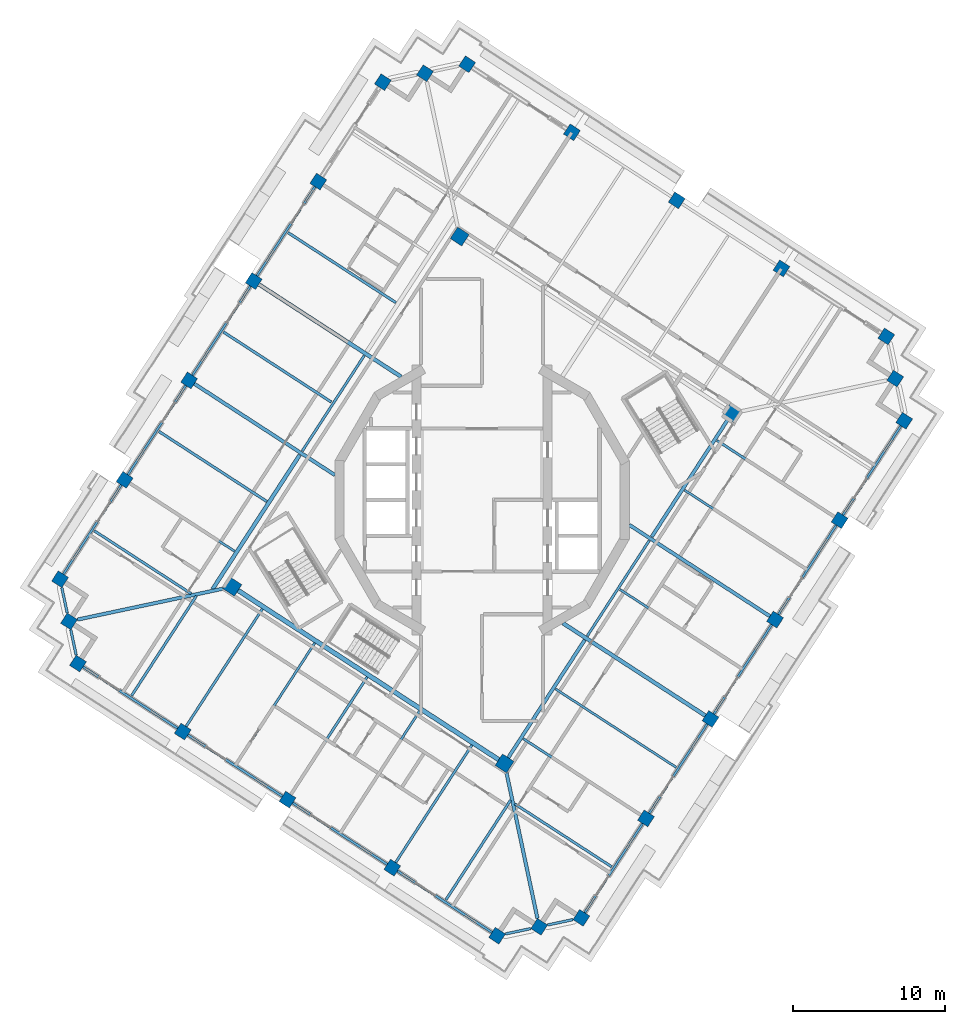
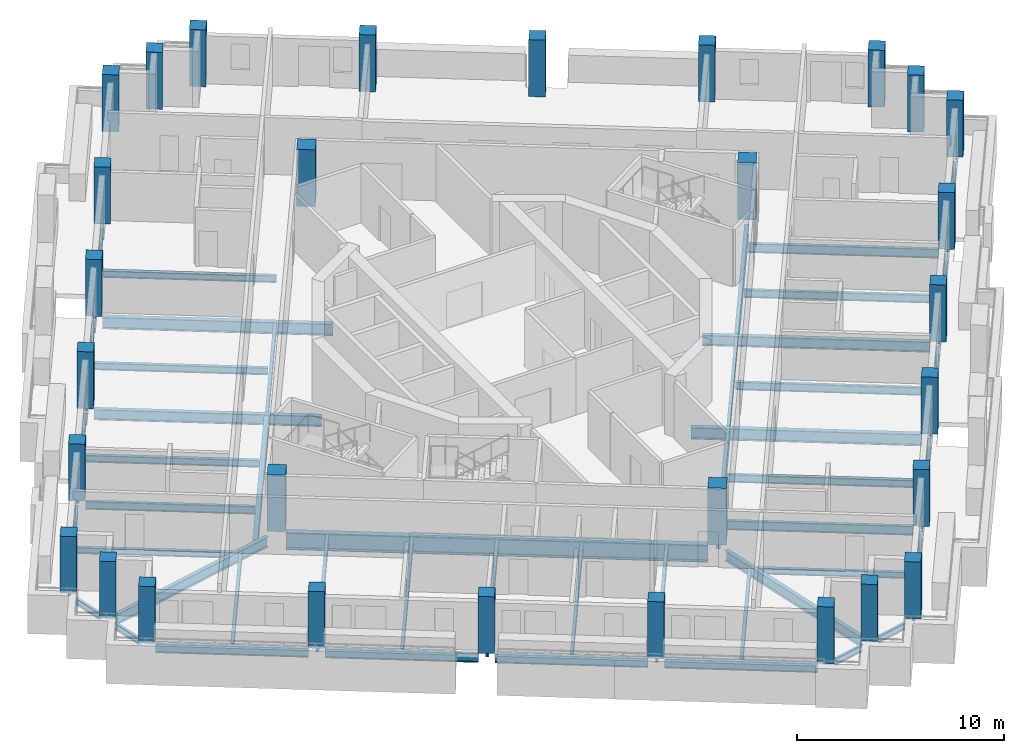
# One storey, part 1 of 15: 47 beams, 30 columns.
"""IFC4 building model written with IfcOpenShell, lengths in metres."""

from ifc_helpers import new_model, si_unit, direction, frame, origin, origin_2d, place, context, subcontext, project, spatial, rectangle, i_section, extrude, material, material_profile, profile_set, type_object, element, save


model = new_model("IFC4")

# Units and contexts
model_context = context("Model", 3, precision=1e-05, world=origin(), true_north=direction((0.0, 1.0)))
body_context = subcontext(model_context, "Body", "Model", "MODEL_VIEW")
ifc_project = project(units=[si_unit("LENGTHUNIT", "METRE"), si_unit("AREAUNIT", "SQUARE_METRE"), si_unit("VOLUMEUNIT", "CUBIC_METRE"), si_unit("PLANEANGLEUNIT", "RADIAN"), si_unit("MASSUNIT", "GRAM", prefix="KILO")], contexts=[model_context])

# Site, building, storey
site_placement = place(None, origin())
site = spatial("IfcSite", under=ifc_project, at=site_placement, CompositionType="ELEMENT")
building_placement = place(site_placement, origin())
building = spatial("IfcBuilding", under=site, at=building_placement, Name="Cantera Rosa Tower", CompositionType="ELEMENT")
storey_placement = place(building_placement, frame((0.0, 0.0, 272.10009765625)))
storey = spatial("IfcBuildingStorey", under=building, at=storey_placement, Name="L61", CompositionType="ELEMENT", Elevation=272.10009765625)

# Columns
ifc_material_1 = material(Name="Concrete C50/60", Category="concrete")
ifc_material_profile_1 = material_profile(ifc_material_1, rectangle(XDim=0.800048828125, YDim=0.800048828125, at=origin_2d()), Name="RC COLUMN RC800X800 C50/60")
ifc_profile_set_1 = profile_set([ifc_material_profile_1], Name="Concrete C50/60")
column_type_1 = type_object("IfcColumnType", Name="RC COLUMN RC800X800 C50/60", PredefinedType="COLUMN", material=ifc_profile_set_1)
for number, where, z_axis, x_axis, name in (
    (1, (26.52587890625, 10.73486328125, 0.0), (0.0, 0.0, 1.0), (0.544639035015, 0.838670567945, 0.0), "C-Z5-01 L61"),
    (2, (19.64892578125, 15.20068359375, 0.0), (0.0, 0.0, 1.0), (0.544639035015, 0.838670567945, 0.0), "C-Z5-02 L61"),
    (3, (12.771728515625, 19.666748046875, 0.0), (0.0, 0.0, 1.0), (0.544639035015, 0.838670567945, 0.0), "C-Z5-03 L61"),
    (4, (5.894775390625, 24.1328125, 0.0), (0.0, 0.0, 1.0), (0.544639035015, 0.838670567945, 0.0), "C-Z5-04 L61"),
    (5, (-0.982421875, 28.598876953125, 0.0), (0.0, 0.0, 1.0), (0.544639035015, 0.838670567945, 0.0), "C-Z5-05 L61"),
    (6, (-3.7490234375, 28.0107421875, 0.0), (0.0, 0.0, 1.0), (0.544639035015, 0.838670567945, 0.0), "C-Z5-06 L61"),
    (7, (-6.515625, 27.4228515625, 0.0), (0.0, 0.0, 1.0), (0.544639035015, 0.838670567945, 0.0), "C-Z5-07 L61"),
    (8, (-10.7529296875, 20.89794921875, 0.0), (0.0, 0.0, 1.0), (0.544639035015, 0.838670567945, 0.0), "C-Z5-08 L61"),
    (9, (-14.990234375, 14.373046875, 0.0), (0.0, 0.0, 1.0), (0.544639035015, 0.838670567945, 0.0), "C-Z5-09 L61"),
    (10, (-19.2275390625, 7.84814453125, 0.0), (0.0, 0.0, 1.0), (0.544639035015, 0.838670567945, 0.0), "C-Z5-10 L61"),
    (11, (-23.46484375, 1.3232421875, 0.0), (0.0, 0.0, 1.0), (0.544639035015, 0.838670567945, 0.0), "C-Z5-11 L61"),
    (12, (-27.7021484375, -5.201416015625, 0.0), (0.0, 0.0, 1.0), (0.544639035015, 0.838670567945, 0.0), "C-Z5-12 L61"),
    (13, (-27.114013671875, -7.968017578125, 0.0), (0.0, 0.0, 1.0), (0.544639035015, 0.838670567945, 0.0), "C-Z5-13 L61"),
    (14, (-26.52587890625, -10.73486328125, 0.0), (0.0, 0.0, 1.0), (0.544639035015, 0.838670567945, 0.0), "C-Z5-14 L61"),
    (15, (-19.64892578125, -15.20068359375, 0.0), (0.0, 0.0, 1.0), (0.544639035015, 0.838670567945, 0.0), "C-Z5-15 L61"),
    (16, (-12.771728515625, -19.666748046875, 0.0), (0.0, 0.0, 1.0), (0.544639035015, 0.838670567945, 0.0), "C-Z5-16 L61"),
    (17, (-5.894775390625, -24.1328125, 0.0), (0.0, 0.0, 1.0), (0.544639035015, 0.838670567945, 0.0), "C-Z5-17 L61"),
    (18, (0.982421875, -28.598876953125, 0.0), (0.0, 0.0, 1.0), (0.544639035015, 0.838670567945, 0.0), "C-Z5-18 L61"),
    (19, (3.7490234375, -28.0107421875, 0.0), (0.0, 0.0, 1.0), (0.544639035015, 0.838670567945, 0.0), "C-Z5-19 L61"),
    (20, (6.515625, -27.4228515625, 0.0), (0.0, 0.0, 1.0), (0.544639035015, 0.838670567945, 0.0), "C-Z5-20 L61"),
    (21, (10.7529296875, -20.89794921875, 0.0), (0.0, 0.0, 1.0), (0.544639035015, 0.838670567945, 0.0), "C-Z5-21 L61"),
    (22, (14.990234375, -14.373046875, 0.0), (0.0, 0.0, 1.0), (0.544639035015, 0.838670567945, 0.0), "C-Z5-22 L61"),
    (23, (19.2275390625, -7.84814453125, 0.0), (0.0, 0.0, 1.0), (0.544639035015, 0.838670567945, 0.0), "C-Z5-23 L61"),
    (24, (23.46484375, -1.3232421875, 0.0), (0.0, 0.0, 1.0), (0.544639035015, 0.838670567945, 0.0), "C-Z5-24 L61"),
    (25, (27.7021484375, 5.201416015625, 0.0), (0.0, 0.0, 1.0), (0.544639035015, 0.838670567945, 0.0), "C-Z5-25 L61"),
    (26, (27.114013671875, 7.968017578125, 0.0), (0.0, 0.0, 1.0), (0.544639035015, 0.838670567945, 0.0), "C-Z5-26 L61"),
):
    element("IfcColumn", number, at=place(storey_placement, frame(where, z_axis=z_axis, x_axis=x_axis)), inside=storey, type_object=column_type_1, Name=name, PredefinedType="COLUMN", context=body_context, shape_type="SweptSolid", body=[
        extrude(rectangle(XDim=0.800048828125, YDim=0.800048828125, at=origin_2d()), origin(), (0.0, 0.0, 1.0), 3.349853515625),
    ])
ifc_material_2 = material(Name="Concrete C50/60", Category="concrete")
ifc_material_profile_2 = material_profile(ifc_material_2, rectangle(XDim=0.89990234375, YDim=0.89990234375, at=origin_2d()), Name="RC RING COLUMN RC900X900 C50/60")
ifc_profile_set_2 = profile_set([ifc_material_profile_2], Name="Concrete C50/60")
column_type_2 = type_object("IfcColumnType", Name="RC RING COLUMN RC900X900 C50/60", PredefinedType="COLUMN", material=ifc_profile_set_2)
for number, where, z_axis, x_axis, name in (
    (27, (-1.47021484375, 17.290283203125, 0.0), (0.0, 0.0, 1.0), (0.544639035015, 0.838670567945, 0.0), "CI-Z5-1 L61"),
    (28, (-16.393310546875, -5.689453125, 0.0), (0.0, 0.0, 1.0), (0.544639035015, 0.838670567945, 0.0), "CI-Z5-2 L61"),
    (29, (1.47021484375, -17.290283203125, 0.0), (0.0, 0.0, 1.0), (0.544639035015, 0.838670567945, 0.0), "CI-Z5-3 L61"),
    (30, (16.393310546875, 5.689453125, 0.0), (0.0, 0.0, 1.0), (0.544639035015, 0.838670567945, 0.0), "CI-Z5-4 L61"),
):
    element("IfcColumn", number, at=place(storey_placement, frame(where, z_axis=z_axis, x_axis=x_axis)), inside=storey, type_object=column_type_2, Name=name, PredefinedType="COLUMN", context=body_context, shape_type="SweptSolid", body=[
        extrude(rectangle(XDim=0.89990234375, YDim=0.89990234375, at=origin_2d()), origin(), (0.0, 0.0, 1.0), 3.349853515625),
    ])

# Beams
ifc_material_3 = material(Name="Steel ASTM A992 (Fy 345 MPa)", Category="steel")
ifc_material_profile_3 = material_profile(ifc_material_3, i_section(OverallWidth=0.302001953125, OverallDepth=1.010009765625, WebThickness=0.02099609375, FlangeThickness=0.0400390625, FilletRadius=0.030029296875, at=origin_2d()), Name="W1000X350")
ifc_profile_set_3 = profile_set([ifc_material_profile_3], Name="Steel ASTM A992 (Fy 345 MPa)")
beam_type_1 = type_object("IfcBeamType", Name="STEEL BEAM W1000X350", PredefinedType="BEAM", material=ifc_profile_set_3)
beam_1_placement = place(storey_placement, frame((1.0927734375, -17.045166015625, -0.755126953125), z_axis=(-0.838671580977, 0.54463747508, 0.0), x_axis=(-0.54463747508, -0.838671580977, 0.0)))
element("IfcBeam", 31, at=beam_1_placement, inside=storey, type_object=beam_type_1, Name="RB-Z5-09 L61", PredefinedType="BEAM", context=body_context, shape_type="SweptSolid", body=[
    extrude(i_section(OverallWidth=0.302001953125, OverallDepth=1.010009765625, WebThickness=0.02099609375, FlangeThickness=0.0400390625, FilletRadius=0.030029296875, at=origin_2d()), origin(), (0.0, 0.0, 1.0), 20.39990234375),
])
ifc_material_4 = material(Name="Steel ASTM A992 (Fy 345 MPa)", Category="steel")
ifc_material_profile_4 = material_profile(ifc_material_4, i_section(OverallWidth=0.154052734375, OverallDepth=0.4599609375, WebThickness=0.009033203125, FlangeThickness=0.015380859375, FilletRadius=0.01025390625, at=origin_2d()), Name="W460X68")
ifc_profile_set_4 = profile_set([ifc_material_profile_4], Name="Steel ASTM A992 (Fy 345 MPa)")
beam_type_2 = type_object("IfcBeamType", Name="STEEL BEAM W460X68", PredefinedType="BEAM", material=ifc_profile_set_4)
beam_2_placement = place(storey_placement, frame((-23.12939453125, 1.10546875, -0.47998046875), z_axis=(0.838672777751, -0.544635632198, 0.0), x_axis=(0.544635632198, 0.838672777751, 0.0)))
element("IfcBeam", 32, at=beam_2_placement, inside=storey, type_object=beam_type_2, Name="G-Z5-07 L61", PredefinedType="BEAM", context=body_context, shape_type="SweptSolid", body=[
    extrude(i_section(OverallWidth=0.154052734375, OverallDepth=0.4599609375, WebThickness=0.009033203125, FlangeThickness=0.015380859375, FilletRadius=0.01025390625, at=origin_2d()), origin(), (0.0, 0.0, 1.0), 8.2001953125),
])
ifc_material_5 = material(Name="Steel ASTM A992 (Fy 345 MPa)", Category="steel")
ifc_material_profile_5 = material_profile(ifc_material_5, i_section(OverallWidth=0.166015625, OverallDepth=0.528076171875, WebThickness=0.009765625, FlangeThickness=0.013671875, FilletRadius=0.0126953125, at=origin_2d()), Name="W530X74")
ifc_profile_set_5 = profile_set([ifc_material_profile_5], Name="Steel ASTM A992 (Fy 345 MPa)")
beam_type_3 = type_object("IfcBeamType", Name="STEEL BEAM W530X74", PredefinedType="BEAM", material=ifc_profile_set_5)
for number, where, z_axis, x_axis, name in (
    (33, (10.41748046875, -20.68017578125, -0.51416015625), (-0.838669083999, 0.544641320086, 0.0), (-0.544641320086, -0.838669083999, 0.0), "G-Z5-08 L61"),
    (34, (23.12939453125, -1.10546875, -0.51416015625), (-0.838669083999, 0.544641320086, 0.0), (-0.544641320086, -0.838669083999, 0.0), "G-Z5-11 L61"),
):
    element("IfcBeam", number, at=place(storey_placement, frame(where, z_axis=z_axis, x_axis=x_axis)), inside=storey, type_object=beam_type_3, Name=name, PredefinedType="BEAM", context=body_context, shape_type="SweptSolid", body=[
        extrude(i_section(OverallWidth=0.166015625, OverallDepth=0.528076171875, WebThickness=0.009765625, FlangeThickness=0.013671875, FilletRadius=0.0126953125, at=origin_2d()), origin(), (0.0, 0.0, 1.0), 9.2001953125),
    ])
beam_3_placement = place(storey_placement, frame((-19.430908203125, -14.865234375, -0.51416015625), z_axis=(0.544634776066, 0.838673333724, 0.0), x_axis=(-0.838673333724, 0.544634776066, 0.0)))
element("IfcBeam", 35, at=beam_3_placement, inside=storey, type_object=beam_type_3, Name="G-Z5-12 L61", PredefinedType="BEAM", context=body_context, shape_type="SweptSolid", body=[
    extrude(i_section(OverallWidth=0.166015625, OverallDepth=0.528076171875, WebThickness=0.009765625, FlangeThickness=0.013671875, FilletRadius=0.0126953125, at=origin_2d()), origin(), (0.0, 0.0, 1.0), 9.19970703125),
])
beam_4_placement = place(storey_placement, frame((-12.553955078125, -19.331298828125, -0.51416015625), z_axis=(0.544641320086, 0.838669083999, 0.0), x_axis=(-0.838669083999, 0.544641320086, 0.0)))
element("IfcBeam", 36, at=beam_4_placement, inside=storey, type_object=beam_type_3, Name="G-Z5-13 L61", PredefinedType="BEAM", context=body_context, shape_type="SweptSolid", body=[
    extrude(i_section(OverallWidth=0.166015625, OverallDepth=0.528076171875, WebThickness=0.009765625, FlangeThickness=0.013671875, FilletRadius=0.0126953125, at=origin_2d()), origin(), (0.0, 0.0, 1.0), 9.2001953125),
])
beam_5_placement = place(storey_placement, frame((-5.6767578125, -23.79736328125, -0.51416015625), z_axis=(0.544622654601, 0.838681205283, 0.0), x_axis=(-0.838681205283, 0.544622654601, 0.0)))
element("IfcBeam", 37, at=beam_5_placement, inside=storey, type_object=beam_type_3, Name="G-Z5-14 L61", PredefinedType="BEAM", context=body_context, shape_type="SweptSolid", body=[
    extrude(i_section(OverallWidth=0.166015625, OverallDepth=0.528076171875, WebThickness=0.009765625, FlangeThickness=0.013671875, FilletRadius=0.0126953125, at=origin_2d()), origin(), (0.0, 0.0, 1.0), 9.199951171875),
])
beam_6_placement = place(storey_placement, frame((-11.807373046875, 3.20849609375, -0.51416015625), z_axis=(0.544626910795, 0.838678441381, 0.0), x_axis=(-0.838678441381, 0.544626910795, 0.0)))
element("IfcBeam", 38, at=beam_6_placement, inside=storey, type_object=beam_type_3, Name="RB-Z5-02 L61", PredefinedType="BEAM", context=body_context, shape_type="SweptSolid", body=[
    extrude(i_section(OverallWidth=0.166015625, OverallDepth=0.528076171875, WebThickness=0.009765625, FlangeThickness=0.013671875, FilletRadius=0.0126953125, at=origin_2d()), origin(), (0.0, 0.0, 1.0), 7.479736328125),
])
beam_7_placement = place(storey_placement, frame((6.894775390625, -8.93701171875, -0.51416015625), z_axis=(0.544649868382, 0.838663532575, 0.0), x_axis=(-0.838663532575, 0.544649868382, 0.0)))
element("IfcBeam", 39, at=beam_7_placement, inside=storey, type_object=beam_type_3, Name="RB-Z5-05 L61", PredefinedType="BEAM", context=body_context, shape_type="SweptSolid", body=[
    extrude(i_section(OverallWidth=0.166015625, OverallDepth=0.528076171875, WebThickness=0.009765625, FlangeThickness=0.013671875, FilletRadius=0.0126953125, at=origin_2d()), origin(), (0.0, 0.0, 1.0), 7.47998046875),
])
ifc_material_6 = material(Name="Steel ASTM A992 (Fy 345 MPa)", Category="steel")
ifc_material_profile_6 = material_profile(ifc_material_6, i_section(OverallWidth=0.22802734375, OverallDepth=0.60205078125, WebThickness=0.010498046875, FlangeThickness=0.014892578125, FilletRadius=0.0126953125, at=origin_2d()), Name="W610X101")
ifc_profile_set_6 = profile_set([ifc_material_profile_6], Name="Steel ASTM A992 (Fy 345 MPa)")
beam_type_4 = type_object("IfcBeamType", Name="STEEL BEAM W610X101", PredefinedType="BEAM", material=ifc_profile_set_6)
for number, where, z_axis, x_axis, name in (
    (40, (-26.560791015625, -7.8505859375, -0.551025390625), (0.978148167214, 0.20790902572, 0.0), (-0.20790902572, 0.978148167214, 0.0), "CB-Z5-02 L61"),
    (41, (3.63134765625, -27.45751953125, -0.551025390625), (-0.20790902572, 0.978148167214, 0.0), (-0.978148167214, -0.20790902572, 0.0), "CB-Z5-03 L61"),
):
    element("IfcBeam", number, at=place(storey_placement, frame(where, z_axis=z_axis, x_axis=x_axis)), inside=storey, type_object=beam_type_4, Name=name, PredefinedType="BEAM", context=body_context, shape_type="SweptSolid", body=[
        extrude(i_section(OverallWidth=0.22802734375, OverallDepth=0.60205078125, WebThickness=0.010498046875, FlangeThickness=0.014892578125, FilletRadius=0.0126953125, at=origin_2d()), origin(), (0.0, 0.0, 1.0), 9.758056640625),
    ])
for number, where, z_axis, x_axis, name in (
    (42, (1.71533203125, -16.912841796875, -0.551025390625), (0.54463982867, 0.838670052539, 0.0), (-0.838670052539, 0.54463982867, 0.0), "RB-Z5-04 L61"),
    (43, (11.132080078125, -2.412109375, -0.551025390625), (0.54463982867, 0.838670052539, 0.0), (-0.838670052539, 0.54463982867, 0.0), "RB-Z5-06 L61"),
):
    element("IfcBeam", number, at=place(storey_placement, frame(where, z_axis=z_axis, x_axis=x_axis)), inside=storey, type_object=beam_type_4, Name=name, PredefinedType="BEAM", context=body_context, shape_type="SweptSolid", body=[
        extrude(i_section(OverallWidth=0.22802734375, OverallDepth=0.60205078125, WebThickness=0.010498046875, FlangeThickness=0.014892578125, FilletRadius=0.0126953125, at=origin_2d()), origin(), (0.0, 0.0, 1.0), 9.2099609375),
    ])
ifc_material_7 = material(Name="Steel ASTM A992 (Fy 345 MPa)", Category="steel")
ifc_material_profile_7 = material_profile(ifc_material_7, i_section(OverallWidth=0.22900390625, OverallDepth=0.612060546875, WebThickness=0.011962890625, FlangeThickness=0.01953125, FilletRadius=0.0126953125, at=origin_2d()), Name="W610X125")
ifc_profile_set_7 = profile_set([ifc_material_profile_7], Name="Steel ASTM A992 (Fy 345 MPa)")
beam_type_5 = type_object("IfcBeamType", Name="STEEL BEAM W610X125", PredefinedType="BEAM", material=ifc_profile_set_7)
for number, where, z_axis, x_axis, name in (
    (44, (-18.89208984375, 7.63037109375, -0.55615234375), (0.838673569952, -0.544634412302, 0.0), (0.544634412302, 0.838673569952, 0.0), "G-Z5-06 L61"),
    (45, (18.89208984375, -7.63037109375, -0.55615234375), (-0.838673569952, 0.544634412302, 0.0), (-0.544634412302, -0.838673569952, 0.0), "G-Z5-10 L61"),
):
    element("IfcBeam", number, at=place(storey_placement, frame(where, z_axis=z_axis, x_axis=x_axis)), inside=storey, type_object=beam_type_5, Name=name, PredefinedType="BEAM", context=body_context, shape_type="SweptSolid", body=[
        extrude(i_section(OverallWidth=0.22900390625, OverallDepth=0.612060546875, WebThickness=0.011962890625, FlangeThickness=0.01953125, FilletRadius=0.0126953125, at=origin_2d()), origin(), (0.0, 0.0, 1.0), 11.009033203125),
    ])
ifc_material_8 = material(Name="Steel ASTM A992 (Fy 345 MPa)", Category="steel")
ifc_material_profile_8 = material_profile(ifc_material_8, i_section(OverallWidth=0.25390625, OverallDepth=0.677978515625, WebThickness=0.01171875, FlangeThickness=0.016357421875, FilletRadius=0.01513671875, at=origin_2d()), Name="W690X125")
ifc_profile_set_8 = profile_set([ifc_material_profile_8], Name="Steel ASTM A992 (Fy 345 MPa)")
beam_type_6 = type_object("IfcBeamType", Name="STEEL BEAM W690X125", PredefinedType="BEAM", material=ifc_profile_set_8)
for number, where, z_axis, x_axis, name in (
    (46, (-14.65478515625, 14.1552734375, -0.589111328125), (0.838661833747, -0.544652484265, 0.0), (0.544652484265, 0.838661833747, 0.0), "G-Z5-05 L61"),
    (47, (14.65478515625, -14.1552734375, -0.589111328125), (-0.838661833747, 0.544652484265, 0.0), (-0.544652484265, -0.838661833747, 0.0), "G-Z5-09 L61"),
):
    element("IfcBeam", number, at=place(storey_placement, frame(where, z_axis=z_axis, x_axis=x_axis)), inside=storey, type_object=beam_type_6, Name=name, PredefinedType="BEAM", context=body_context, shape_type="SweptSolid", body=[
        extrude(i_section(OverallWidth=0.25390625, OverallDepth=0.677978515625, WebThickness=0.01171875, FlangeThickness=0.016357421875, FilletRadius=0.01513671875, at=origin_2d()), origin(), (0.0, 0.0, 1.0), 11.141357421875),
    ])
beam_8_placement = place(storey_placement, frame((-17.695068359375, -5.857666015625, -0.589111328125), z_axis=(0.544635575355, 0.838672814665, 0.0), x_axis=(-0.838672814665, 0.544635575355, 0.0)))
element("IfcBeam", 48, at=beam_8_placement, inside=storey, type_object=beam_type_6, Name="RB-Z5-01 L61", PredefinedType="BEAM", context=body_context, shape_type="SweptSolid", body=[
    extrude(i_section(OverallWidth=0.25390625, OverallDepth=0.677978515625, WebThickness=0.01171875, FlangeThickness=0.016357421875, FilletRadius=0.01513671875, at=origin_2d()), origin(), (0.0, 0.0, 1.0), 10.510009765625),
])
ifc_material_9 = material(Name="Steel ASTM A992 (Fy 345 MPa)", Category="steel")
ifc_material_profile_9 = material_profile(ifc_material_9, i_section(OverallWidth=0.1708984375, OverallDepth=0.35595703125, WebThickness=0.00732421875, FlangeThickness=0.01171875, FilletRadius=0.010009765625, at=origin_2d()), Name="W360X51")
ifc_profile_set_9 = profile_set([ifc_material_profile_9], Name="Steel ASTM A992 (Fy 345 MPa)")
beam_type_7 = type_object("IfcBeamType", Name="STEEL JOIST W360X51", PredefinedType="JOIST", material=ifc_profile_set_9)
beam_9_placement = place(storey_placement, frame((-25.457763671875, -2.020751953125, -0.427978515625), z_axis=(0.838680170462, -0.54462424815, 0.0), x_axis=(0.54462424815, 0.838680170462, 0.0)))
element("IfcBeam", 49, at=beam_9_placement, inside=storey, type_object=beam_type_7, Name="B-Z5-09 L61", PredefinedType="JOIST", context=body_context, shape_type="SweptSolid", body=[
    extrude(i_section(OverallWidth=0.1708984375, OverallDepth=0.35595703125, WebThickness=0.00732421875, FlangeThickness=0.01171875, FilletRadius=0.010009765625, at=origin_2d()), origin(), (0.0, 0.0, 1.0), 7.590087890625),
])
beam_10_placement = place(storey_placement, frame((8.508544921875, -24.07861328125, -0.427978515625), z_axis=(-0.838670629323, 0.544638940502, 0.0), x_axis=(-0.544638940502, -0.838670629323, 0.0)))
element("IfcBeam", 50, at=beam_10_placement, inside=storey, type_object=beam_type_7, Name="B-Z5-10 L61", PredefinedType="JOIST", context=body_context, shape_type="SweptSolid", body=[
    extrude(i_section(OverallWidth=0.1708984375, OverallDepth=0.35595703125, WebThickness=0.00732421875, FlangeThickness=0.01171875, FilletRadius=0.010009765625, at=origin_2d()), origin(), (0.0, 0.0, 1.0), 7.58984375),
])
for number, where, z_axis, x_axis, name in (
    (51, (-23.005859375, -12.842041015625, -0.427978515625), (0.544641754757, 0.838668801718, 0.0), (-0.838668801718, 0.544641754757, 0.0), "B-Z5-15 L61"),
    (52, (-2.37451171875, -26.239990234375, -0.427978515625), (0.54465605183, 0.838659516851, 0.0), (-0.838659516851, 0.54465605183, 0.0), "B-Z5-18 L61"),
):
    element("IfcBeam", number, at=place(storey_placement, frame(where, z_axis=z_axis, x_axis=x_axis)), inside=storey, type_object=beam_type_7, Name=name, PredefinedType="JOIST", context=body_context, shape_type="SweptSolid", body=[
        extrude(i_section(OverallWidth=0.1708984375, OverallDepth=0.35595703125, WebThickness=0.00732421875, FlangeThickness=0.01171875, FilletRadius=0.010009765625, at=origin_2d()), origin(), (0.0, 0.0, 1.0), 7.800048828125),
    ])
ifc_material_10 = material(Name="Steel ASTM A992 (Fy 345 MPa)", Category="steel")
ifc_material_profile_10 = material_profile(ifc_material_10, i_section(OverallWidth=0.177978515625, OverallDepth=0.406005859375, WebThickness=0.0078125, FlangeThickness=0.0126953125, FilletRadius=0.01025390625, at=origin_2d()), Name="W410X60")
ifc_profile_set_10 = profile_set([ifc_material_profile_10], Name="Steel ASTM A992 (Fy 345 MPa)")
beam_type_8 = type_object("IfcBeamType", Name="STEEL JOIST W410X60", PredefinedType="JOIST", material=ifc_profile_set_10)
beam_11_placement = place(storey_placement, frame((-12.745849609375, 17.5537109375, -0.453125), z_axis=(0.838683812595, -0.5446186395, 0.0), x_axis=(0.5446186395, 0.838683812595, 0.0)))
element("IfcBeam", 53, at=beam_11_placement, inside=storey, type_object=beam_type_8, Name="B-Z5-06 L61", PredefinedType="JOIST", context=body_context, shape_type="SweptSolid", body=[
    extrude(i_section(OverallWidth=0.177978515625, OverallDepth=0.406005859375, WebThickness=0.0078125, FlangeThickness=0.0126953125, FilletRadius=0.01025390625, at=origin_2d()), origin(), (0.0, 0.0, 1.0), 8.449951171875),
])
for number, where, z_axis, x_axis, name in (
    (54, (-16.983154296875, 11.029052734375, -0.453125), (0.838670615657, -0.544638961546, 0.0), (0.544638961546, 0.838670615657, 0.0), "B-Z5-07 L61"),
    (55, (-21.220458984375, 4.504150390625, -0.453125), (0.838670615657, -0.544638961546, 0.0), (0.544638961546, 0.838670615657, 0.0), "B-Z5-08 L61"),
):
    element("IfcBeam", number, at=place(storey_placement, frame(where, z_axis=z_axis, x_axis=x_axis)), inside=storey, type_object=beam_type_8, Name=name, PredefinedType="JOIST", context=body_context, shape_type="SweptSolid", body=[
        extrude(i_section(OverallWidth=0.177978515625, OverallDepth=0.406005859375, WebThickness=0.0078125, FlangeThickness=0.0126953125, FilletRadius=0.01025390625, at=origin_2d()), origin(), (0.0, 0.0, 1.0), 8.4501953125),
    ])
ifc_material_11 = material(Name="Steel ASTM A992 (Fy 345 MPa)", Category="steel")
ifc_material_profile_11 = material_profile(ifc_material_11, i_section(OverallWidth=0.154052734375, OverallDepth=0.4599609375, WebThickness=0.009033203125, FlangeThickness=0.015380859375, FilletRadius=0.01025390625, at=origin_2d()), Name="W460X68")
ifc_profile_set_11 = profile_set([ifc_material_profile_11], Name="Steel ASTM A992 (Fy 345 MPa)")
beam_type_9 = type_object("IfcBeamType", Name="STEEL JOIST W460X68", PredefinedType="JOIST", material=ifc_profile_set_11)
beam_12_placement = place(storey_placement, frame((12.745849609375, -17.5537109375, -0.47998046875), z_axis=(-0.838679048974, 0.544625975154, 0.0), x_axis=(-0.544625975154, -0.838679048974, 0.0)))
element("IfcBeam", 56, at=beam_12_placement, inside=storey, type_object=beam_type_9, Name="B-Z5-11 L61", PredefinedType="JOIST", context=body_context, shape_type="SweptSolid", body=[
    extrude(i_section(OverallWidth=0.154052734375, OverallDepth=0.4599609375, WebThickness=0.009033203125, FlangeThickness=0.015380859375, FilletRadius=0.01025390625, at=origin_2d()), origin(), (0.0, 0.0, 1.0), 9.449951171875),
])
for number, where, z_axis, x_axis, name in (
    (57, (16.983154296875, -11.029052734375, -0.47998046875), (-0.838667248419, 0.544644146603, 0.0), (-0.544644146603, -0.838667248419, 0.0), "B-Z5-12 L61"),
    (58, (21.220458984375, -4.504150390625, -0.47998046875), (-0.838667248419, 0.544644146603, 0.0), (-0.544644146603, -0.838667248419, 0.0), "B-Z5-13 L61"),
    (59, (-16.128662109375, -17.30810546875, -0.47998046875), (0.544644146603, 0.838667248419, 0.0), (-0.838667248419, 0.544644146603, 0.0), "B-Z5-16 L61"),
):
    element("IfcBeam", number, at=place(storey_placement, frame(where, z_axis=z_axis, x_axis=x_axis)), inside=storey, type_object=beam_type_9, Name=name, PredefinedType="JOIST", context=body_context, shape_type="SweptSolid", body=[
        extrude(i_section(OverallWidth=0.154052734375, OverallDepth=0.4599609375, WebThickness=0.009033203125, FlangeThickness=0.015380859375, FilletRadius=0.01025390625, at=origin_2d()), origin(), (0.0, 0.0, 1.0), 9.4501953125),
    ])
beam_13_placement = place(storey_placement, frame((-9.25146484375, -21.77392578125, -0.47998046875), z_axis=(0.544637775879, 0.838671385636, 0.0), x_axis=(-0.838671385636, 0.544637775879, 0.0)))
element("IfcBeam", 60, at=beam_13_placement, inside=storey, type_object=beam_type_9, Name="B-Z5-17 L61", PredefinedType="JOIST", context=body_context, shape_type="SweptSolid", body=[
    extrude(i_section(OverallWidth=0.154052734375, OverallDepth=0.4599609375, WebThickness=0.009033203125, FlangeThickness=0.015380859375, FilletRadius=0.01025390625, at=origin_2d()), origin(), (0.0, 0.0, 1.0), 9.44970703125),
])
ifc_material_12 = material(Name="Steel ASTM A992 (Fy 345 MPa)", Category="steel")
ifc_material_profile_12 = material_profile(ifc_material_12, i_section(OverallWidth=0.1708984375, OverallDepth=0.35595703125, WebThickness=0.00732421875, FlangeThickness=0.01171875, FilletRadius=0.010009765625, at=origin_2d()), Name="W360X51")
ifc_profile_set_12 = profile_set([ifc_material_profile_12], Name="Steel ASTM A992 (Fy 345 MPa)")
beam_type_10 = type_object("IfcBeamType", Name="STEEL SPANDREL BEAM W360X51", PredefinedType="SPANDREL", material=ifc_profile_set_12)
for number, where, z_axis, x_axis, name in (
    (61, (-27.58447265625, -5.7548828125, -0.427978515625), (0.207888006632, -0.978152634663, 0.0), (0.978152634663, 0.207888006632, 0.0), "EB-Z5-12 L61"),
    (62, (-26.996337890625, -8.521484375, -0.427978515625), (0.207888006632, -0.978152634663, 0.0), (0.978152634663, 0.207888006632, 0.0), "EB-Z5-13 L61"),
):
    element("IfcBeam", number, at=place(storey_placement, frame(where, z_axis=z_axis, x_axis=x_axis)), inside=storey, type_object=beam_type_10, Name=name, PredefinedType="SPANDREL", context=body_context, shape_type="SweptSolid", body=[
        extrude(i_section(OverallWidth=0.1708984375, OverallDepth=0.35595703125, WebThickness=0.00732421875, FlangeThickness=0.01171875, FilletRadius=0.010009765625, at=origin_2d()), origin(), (0.0, 0.0, 1.0), 1.697021484375),
    ])
for number, where, z_axis, x_axis, name in (
    (63, (1.53564453125, -28.481201171875, -0.427978515625), (0.978158850918, 0.20785875582, 0.0), (-0.20785875582, 0.978158850918, 0.0), "EB-Z5-18 L61"),
    (64, (4.30224609375, -27.893310546875, -0.427978515625), (0.978129595322, 0.207996381593, 0.0), (-0.207996381593, 0.978129595322, 0.0), "EB-Z5-19 L61"),
):
    element("IfcBeam", number, at=place(storey_placement, frame(where, z_axis=z_axis, x_axis=x_axis)), inside=storey, type_object=beam_type_10, Name=name, PredefinedType="SPANDREL", context=body_context, shape_type="SweptSolid", body=[
        extrude(i_section(OverallWidth=0.1708984375, OverallDepth=0.35595703125, WebThickness=0.00732421875, FlangeThickness=0.01171875, FilletRadius=0.010009765625, at=origin_2d()), origin(), (0.0, 0.0, 1.0), 1.697265625),
    ])
ifc_material_13 = material(Name="Steel ASTM A992 (Fy 345 MPa)", Category="steel")
ifc_material_profile_13 = material_profile(ifc_material_13, i_section(OverallWidth=0.154052734375, OverallDepth=0.4599609375, WebThickness=0.009033203125, FlangeThickness=0.015380859375, FilletRadius=0.01025390625, at=origin_2d()), Name="W460X68")
ifc_profile_set_13 = profile_set([ifc_material_profile_13], Name="Steel ASTM A992 (Fy 345 MPa)")
beam_type_11 = type_object("IfcBeamType", Name="STEEL SPANDREL BEAM W460X68", PredefinedType="SPANDREL", material=ifc_profile_set_13)
for number, where, z_axis, x_axis, name in (
    (65, (-10.970703125, 20.5625, -0.47998046875), (-0.544651451949, -0.838662504164, 0.0), (0.838662504164, -0.544651451949, 0.0), "EB-Z5-08 L61"),
    (66, (-15.2080078125, 14.03759765625, -0.47998046875), (-0.544651451949, -0.838662504164, 0.0), (0.838662504164, -0.544651451949, 0.0), "EB-Z5-09 L61"),
):
    element("IfcBeam", number, at=place(storey_placement, frame(where, z_axis=z_axis, x_axis=x_axis)), inside=storey, type_object=beam_type_11, Name=name, PredefinedType="SPANDREL", context=body_context, shape_type="SweptSolid", body=[
        extrude(i_section(OverallWidth=0.154052734375, OverallDepth=0.4599609375, WebThickness=0.009033203125, FlangeThickness=0.015380859375, FilletRadius=0.01025390625, at=origin_2d()), origin(), (0.0, 0.0, 1.0), 6.980224609375),
    ])
for number, where, z_axis, x_axis, name in (
    (67, (-19.4453125, 7.5126953125, -0.47998046875), (-0.544667428764, -0.838652128146, 0.0), (0.838652128146, -0.544667428764, 0.0), "EB-Z5-10 L61"),
    (68, (-23.6826171875, 0.98779296875, -0.47998046875), (-0.544667428764, -0.838652128146, 0.0), (0.838652128146, -0.544667428764, 0.0), "EB-Z5-11 L61"),
):
    element("IfcBeam", number, at=place(storey_placement, frame(where, z_axis=z_axis, x_axis=x_axis)), inside=storey, type_object=beam_type_11, Name=name, PredefinedType="SPANDREL", context=body_context, shape_type="SweptSolid", body=[
        extrude(i_section(OverallWidth=0.154052734375, OverallDepth=0.4599609375, WebThickness=0.009033203125, FlangeThickness=0.015380859375, FilletRadius=0.01025390625, at=origin_2d()), origin(), (0.0, 0.0, 1.0), 6.97998046875),
    ])
for number, where, z_axis, x_axis, name in (
    (69, (6.7333984375, -27.08740234375, -0.47998046875), (0.544651451949, 0.838662504164, 0.0), (-0.838662504164, 0.544651451949, 0.0), "EB-Z5-20 L61"),
    (70, (10.970703125, -20.5625, -0.47998046875), (0.544651451949, 0.838662504164, 0.0), (-0.838662504164, 0.544651451949, 0.0), "EB-Z5-21 L61"),
    (71, (15.2080078125, -14.03759765625, -0.47998046875), (0.544651451949, 0.838662504164, 0.0), (-0.838662504164, 0.544651451949, 0.0), "EB-Z5-22 L61"),
):
    element("IfcBeam", number, at=place(storey_placement, frame(where, z_axis=z_axis, x_axis=x_axis)), inside=storey, type_object=beam_type_11, Name=name, PredefinedType="SPANDREL", context=body_context, shape_type="SweptSolid", body=[
        extrude(i_section(OverallWidth=0.154052734375, OverallDepth=0.4599609375, WebThickness=0.009033203125, FlangeThickness=0.015380859375, FilletRadius=0.01025390625, at=origin_2d()), origin(), (0.0, 0.0, 1.0), 6.980224609375),
    ])
for number, where, z_axis, x_axis, name in (
    (72, (19.4453125, -7.5126953125, -0.47998046875), (0.544667428764, 0.838652128146, 0.0), (-0.838652128146, 0.544667428764, 0.0), "EB-Z5-23 L61"),
    (73, (23.6826171875, -0.98779296875, -0.47998046875), (0.544667428764, 0.838652128146, 0.0), (-0.838652128146, 0.544667428764, 0.0), "EB-Z5-24 L61"),
):
    element("IfcBeam", number, at=place(storey_placement, frame(where, z_axis=z_axis, x_axis=x_axis)), inside=storey, type_object=beam_type_11, Name=name, PredefinedType="SPANDREL", context=body_context, shape_type="SweptSolid", body=[
        extrude(i_section(OverallWidth=0.154052734375, OverallDepth=0.4599609375, WebThickness=0.009033203125, FlangeThickness=0.015380859375, FilletRadius=0.01025390625, at=origin_2d()), origin(), (0.0, 0.0, 1.0), 6.97998046875),
    ])
ifc_material_14 = material(Name="Steel ASTM A992 (Fy 345 MPa)", Category="steel")
ifc_material_profile_14 = material_profile(ifc_material_14, i_section(OverallWidth=0.166015625, OverallDepth=0.528076171875, WebThickness=0.009765625, FlangeThickness=0.013671875, FilletRadius=0.0126953125, at=origin_2d()), Name="W530X74")
ifc_profile_set_14 = profile_set([ifc_material_profile_14], Name="Steel ASTM A992 (Fy 345 MPa)")
beam_type_12 = type_object("IfcBeamType", Name="STEEL SPANDREL BEAM W530X74", PredefinedType="SPANDREL", material=ifc_profile_set_14)
beam_14_placement = place(storey_placement, frame((-26.1904296875, -10.95263671875, -0.51416015625), z_axis=(0.838669679097, -0.544640403719, 0.0), x_axis=(0.544640403719, 0.838669679097, 0.0)))
element("IfcBeam", 74, at=beam_14_placement, inside=storey, type_object=beam_type_12, Name="EB-Z5-14 L61", PredefinedType="SPANDREL", context=body_context, shape_type="SweptSolid", body=[
    extrude(i_section(OverallWidth=0.166015625, OverallDepth=0.528076171875, WebThickness=0.009765625, FlangeThickness=0.013671875, FilletRadius=0.0126953125, at=origin_2d()), origin(), (0.0, 0.0, 1.0), 7.39990234375),
])
beam_15_placement = place(storey_placement, frame((-19.3134765625, -15.418701171875, -0.51416015625), z_axis=(0.838679465365, -0.544625333946, 0.0), x_axis=(0.544625333946, 0.838679465365, 0.0)))
element("IfcBeam", 75, at=beam_15_placement, inside=storey, type_object=beam_type_12, Name="EB-Z5-15 L61", PredefinedType="SPANDREL", context=body_context, shape_type="SweptSolid", body=[
    extrude(i_section(OverallWidth=0.166015625, OverallDepth=0.528076171875, WebThickness=0.009765625, FlangeThickness=0.013671875, FilletRadius=0.0126953125, at=origin_2d()), origin(), (0.0, 0.0, 1.0), 7.400146484375),
])
beam_16_placement = place(storey_placement, frame((-12.436279296875, -19.884765625, -0.51416015625), z_axis=(0.838669679097, -0.544640403719, 0.0), x_axis=(0.544640403719, 0.838669679097, 0.0)))
element("IfcBeam", 76, at=beam_16_placement, inside=storey, type_object=beam_type_12, Name="EB-Z5-16 L61", PredefinedType="SPANDREL", context=body_context, shape_type="SweptSolid", body=[
    extrude(i_section(OverallWidth=0.166015625, OverallDepth=0.528076171875, WebThickness=0.009765625, FlangeThickness=0.013671875, FilletRadius=0.0126953125, at=origin_2d()), origin(), (0.0, 0.0, 1.0), 7.39990234375),
])
beam_17_placement = place(storey_placement, frame((-5.559326171875, -24.350830078125, -0.51416015625), z_axis=(0.838679465365, -0.544625333946, 0.0), x_axis=(0.544625333946, 0.838679465365, 0.0)))
element("IfcBeam", 77, at=beam_17_placement, inside=storey, type_object=beam_type_12, Name="EB-Z5-17 L61", PredefinedType="SPANDREL", context=body_context, shape_type="SweptSolid", body=[
    extrude(i_section(OverallWidth=0.166015625, OverallDepth=0.528076171875, WebThickness=0.009765625, FlangeThickness=0.013671875, FilletRadius=0.0126953125, at=origin_2d()), origin(), (0.0, 0.0, 1.0), 7.400146484375),
])

save(model, "model.ifc")
